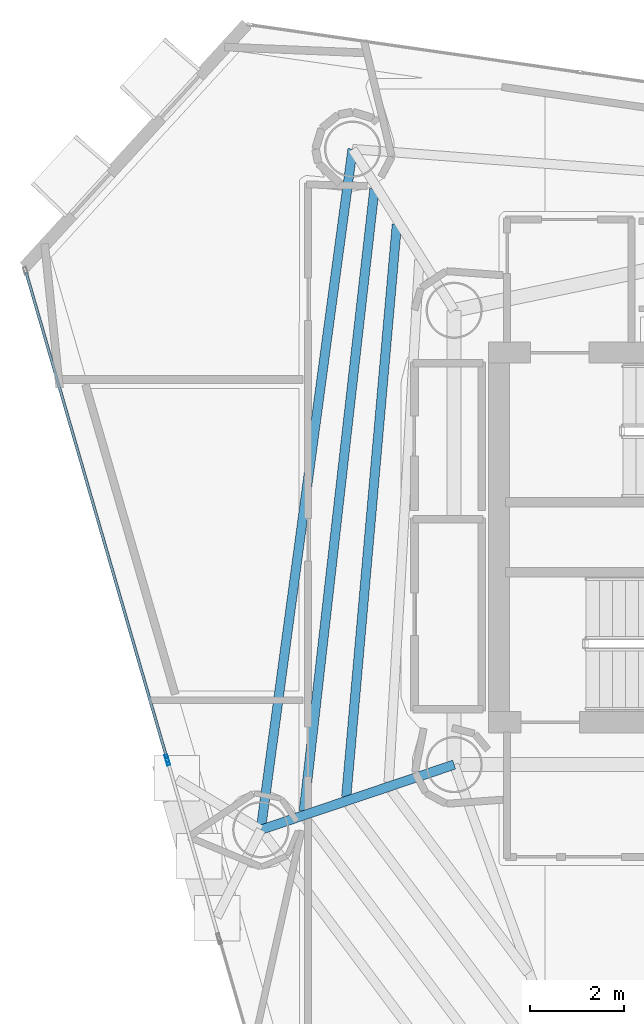
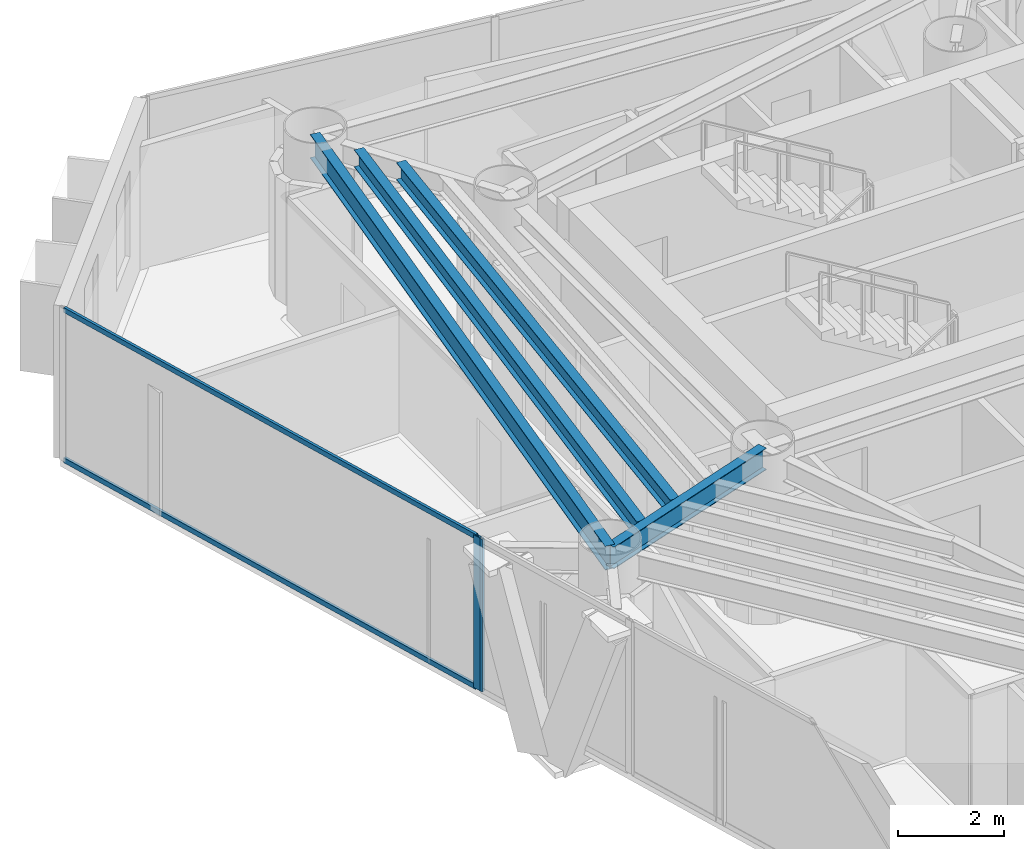
# One storey, part 8 of 23: 4 beams, 4 members, 2 elements without a shape of their own.
"""IFC4 building model written with IfcOpenShell, lengths in metres."""

import ifcopenshell
import ifcopenshell.guid

model = None  # the IFC model being written
_history = None  # IfcOwnerHistory: only IFC2X3 demands one
_inside = {}  # id of a spatial element -> (the spatial element, [elements in it])
_under = {}  # id of a project, library or spatial element -> (it, [spatial elements below it])
_declared = {}  # id of a project -> (the project, [libraries it declares])
_typed = {}  # id of a type object -> (the type object, [elements of that type])
_made_of = {}  # id of a material, layer set ... -> (it, [elements and type objects made of it])


def new_model(schema):
    """Start an empty IFC model of exactly this schema.

    Asked for "IFC4X3", IfcOpenShell would pick the latest addendum, in which some entities
    have other attributes; the version numbers below select the first issue.
    IFC2X3 requires an IfcOwnerHistory on every rooted entity: one is made here for all.
    """
    global model, _history
    if schema == "IFC4X3":
        model = ifcopenshell.file(schema_version=(4, 3, 0, 0))
    else:
        model = ifcopenshell.file(schema=schema)
    _inside.clear()
    _under.clear()
    _declared.clear()
    _typed.clear()
    _made_of.clear()
    _history = None
    if model.schema == "IFC2X3":
        org = make("IfcOrganization", Name="unknown")
        user = make(
            "IfcPersonAndOrganization",
            ThePerson=make("IfcPerson", FamilyName="unknown"),
            TheOrganization=org,
        )
        app = make(
            "IfcApplication",
            ApplicationDeveloper=org,
            Version="unknown",
            ApplicationFullName="unknown",
            ApplicationIdentifier="unknown",
        )
        _history = make(
            "IfcOwnerHistory",
            OwningUser=user,
            OwningApplication=app,
            ChangeAction="ADDED",
            CreationDate=0,
        )
    return model


def make(cls, **values):
    """One entity of the class cls with the attributes given. An attribute that is None is left unset."""
    return model.create_entity(
        cls, **{name: value for name, value in values.items() if value is not None}
    )


def rooted(cls, **values):
    """An entity with a GlobalId (a new one), such as an element, a storey or a relation."""
    return make(cls, GlobalId=ifcopenshell.guid.new(), OwnerHistory=_history, **values)


def si_unit(unit_type, name, prefix=None):
    """IfcSIUnit, for example si_unit("LENGTHUNIT", "METRE", prefix="MILLI")."""
    return make("IfcSIUnit", UnitType=unit_type, Prefix=prefix, Name=name)


def assignment(units):
    """IfcUnitAssignment: the units of a project."""
    return None if units is None else make("IfcUnitAssignment", Units=units)


def point(xyz):
    """IfcCartesianPoint."""
    return None if xyz is None else make("IfcCartesianPoint", Coordinates=xyz)


def direction(xyz):
    """IfcDirection."""
    return None if xyz is None else make("IfcDirection", DirectionRatios=xyz)


def frame(location, z_axis=None, x_axis=None):
    """IfcAxis2Placement3D, a coordinate frame: its origin and axes. An axis left out is left unset."""
    return make(
        "IfcAxis2Placement3D",
        Location=point(location),
        Axis=direction(z_axis),
        RefDirection=direction(x_axis),
    )


def frame_2d(location, x_axis=None):
    """IfcAxis2Placement2D, a coordinate frame in the plane: its origin and x axis."""
    return make(
        "IfcAxis2Placement2D", Location=point(location), RefDirection=direction(x_axis)
    )


def origin():
    """The frame at (0, 0, 0) with its axes left unset."""
    return frame((0.0, 0.0, 0.0))


def origin_2d():
    """The frame at (0, 0) in the plane with its x axis left unset."""
    return frame_2d((0.0, 0.0))


def place(relative_to, where):
    """IfcLocalPlacement: puts the frame where relative to a parent placement (None: the world)."""
    return make(
        "IfcLocalPlacement", PlacementRelTo=relative_to, RelativePlacement=where
    )


def context(
    kind, dimensions, precision=None, world=None, true_north=None, identifier=None
):
    """IfcGeometricRepresentationContext, for example the 3D "Model" context."""
    return make(
        "IfcGeometricRepresentationContext",
        ContextIdentifier=identifier,
        ContextType=kind,
        CoordinateSpaceDimension=dimensions,
        Precision=precision,
        WorldCoordinateSystem=world,
        TrueNorth=true_north,
    )


def subcontext(parent, identifier, kind, view, scale=None):
    """IfcGeometricRepresentationSubContext, for example "Body" below "Model"."""
    return make(
        "IfcGeometricRepresentationSubContext",
        ContextIdentifier=identifier,
        ContextType=kind,
        ParentContext=parent,
        TargetScale=scale,
        TargetView=view,
    )


def project(units=None, contexts=None):
    """IfcProject with its units and contexts."""
    return rooted(
        "IfcProject",
        Name="project",
        RepresentationContexts=contexts,
        UnitsInContext=assignment(units),
    )


def spatial(cls, under=None, at=None, **own):
    """A site, building, storey or space (cls), placed at a placement, below another one or the project."""
    s = rooted(cls, ObjectPlacement=at, **own)
    if under is not None:
        _under.setdefault(under.id(), (under, []))[1].append(s)
    return s


def profile(cls, at=None, kind="AREA", **sizes):
    """A parametric profile (cls). Its sizes go by their IFC names, for example OverallWidth=200.0."""
    return make(cls, ProfileType=kind, Position=at, **sizes)


def hollow_rectangle(**sizes):
    """IfcRectangleHollowProfileDef."""
    return profile("IfcRectangleHollowProfileDef", **sizes)


def i_section(**sizes):
    """IfcIShapeProfileDef."""
    return profile("IfcIShapeProfileDef", **sizes)


def extrude(swept, where, along, depth):
    """IfcExtrudedAreaSolid: the profile swept, set in the frame where, extruded along a direction by depth."""
    return make(
        "IfcExtrudedAreaSolid",
        SweptArea=swept,
        Position=where,
        ExtrudedDirection=direction(along),
        Depth=depth,
    )


def shape(context_of_items, identifier, shape_type, items):
    """IfcShapeRepresentation: the items that make up one representation, for example the "Body"."""
    return make(
        "IfcShapeRepresentation",
        ContextOfItems=context_of_items,
        RepresentationIdentifier=identifier,
        RepresentationType=shape_type,
        Items=items,
    )


def material(Name=None, Category=None):
    """IfcMaterial."""
    return make("IfcMaterial", Name=Name, Category=Category)


def layer(
    of_material, thickness, ventilated=None, Name=None, Category=None, Priority=None
):
    """IfcMaterialLayer: one layer of a wall or slab, of a material (None: an air gap)."""
    return make(
        "IfcMaterialLayer",
        Material=of_material,
        LayerThickness=thickness,
        IsVentilated=ventilated,
        Name=Name,
        Category=Category,
        Priority=Priority,
    )


def layer_set(layers, Name=None):
    """IfcMaterialLayerSet."""
    return make("IfcMaterialLayerSet", MaterialLayers=layers, LayerSetName=Name)


def material_profile(
    of_material, cross_section, Name=None, Category=None, Priority=None
):
    """IfcMaterialProfile: a cross section and its material."""
    return make(
        "IfcMaterialProfile",
        Name=Name,
        Material=of_material,
        Profile=cross_section,
        Priority=Priority,
        Category=Category,
    )


def profile_set(profiles, Name=None, composite=None):
    """IfcMaterialProfileSet."""
    return make(
        "IfcMaterialProfileSet",
        Name=Name,
        MaterialProfiles=profiles,
        CompositeProfile=composite,
    )


def made_of(thing, what):
    """Note that an element or type object is made of a material, layer set ...; save() writes the relation."""
    if what is not None:
        _made_of.setdefault(what.id(), (what, []))[1].append(thing)
    return thing


def type_object(cls, material=None, **own):
    """A type object (cls), such as IfcWallType, which elements share."""
    return made_of(rooted(cls, **own), material)


def element(
    cls,
    number,
    at=None,
    inside=None,
    cuts=None,
    type_object=None,
    material=None,
    context=None,
    identifier="Body",
    shape_type=None,
    held_by="IfcProductDefinitionShape",
    body=None,
    shapes=None,
    **own,
):
    """One element of the class cls, such as IfcWall. Its Tag is "e" and its number.

    at: its placement. inside: the storey or other place that contains it. cuts: it is an
    opening in that element (IfcRelVoidsElement). A single representation is given by context,
    identifier, shape_type and body (its items); several are given by shapes. held_by: the class
    of the entity that holds the representations. save() writes the other relations.
    """
    e = rooted(cls, Tag="e%d" % number, ObjectPlacement=at, **own)
    if body is not None:
        shapes = [shape(context, identifier, shape_type, body)]
    if shapes is not None:
        e.Representation = make(held_by, Representations=shapes)
    if inside is not None:
        _inside.setdefault(inside.id(), (inside, []))[1].append(e)
    if cuts is not None:
        rooted(
            "IfcRelVoidsElement", RelatingBuildingElement=cuts, RelatedOpeningElement=e
        )
    if type_object is not None:
        _typed.setdefault(type_object.id(), (type_object, []))[1].append(e)
    return made_of(e, material)


def aggregate(whole, parts):
    """IfcRelAggregates: a whole, such as a stair, and the parts it consists of."""
    return rooted("IfcRelAggregates", RelatingObject=whole, RelatedObjects=parts)


def save(model, path):
    """Write the relations noted so far, then the file.

    IfcRelAggregates (storeys below a building ...), IfcRelContainedInSpatialStructure (elements
    in a storey), IfcRelDefinesByType, IfcRelAssociatesMaterial and IfcRelDeclares: one each for
    every whole, place, type object, material and project.
    """
    for whole, parts in _under.values():
        aggregate(whole, parts)
    for where, things in _inside.values():
        rooted(
            "IfcRelContainedInSpatialStructure",
            RelatedElements=things,
            RelatingStructure=where,
        )
    for kind, things in _typed.values():
        rooted("IfcRelDefinesByType", RelatedObjects=things, RelatingType=kind)
    for what, things in _made_of.values():
        rooted("IfcRelAssociatesMaterial", RelatedObjects=things, RelatingMaterial=what)
    for by, libraries in _declared.values():
        rooted("IfcRelDeclares", RelatingContext=by, RelatedDefinitions=libraries)
    model.write(path)


model = new_model("IFC4")

# Units and contexts
model_context = context("Model", 3, precision=1e-05, world=origin(), true_north=direction((0.0, 1.0)))
body_context = subcontext(model_context, "Body", "Model", "MODEL_VIEW")
ifc_project = project(units=[si_unit("LENGTHUNIT", "METRE"), si_unit("AREAUNIT", "SQUARE_METRE"), si_unit("VOLUMEUNIT", "CUBIC_METRE"), si_unit("PLANEANGLEUNIT", "RADIAN"), si_unit("MASSUNIT", "GRAM", prefix="KILO")], contexts=[model_context])

# Site, building, storey
site_placement = place(None, origin())
site = spatial("IfcSite", under=ifc_project, at=site_placement, CompositionType="ELEMENT")
building_placement = place(site_placement, origin())
building = spatial("IfcBuilding", under=site, at=building_placement, Name="Qianvela Tower", CompositionType="ELEMENT")
storey_placement = place(building_placement, frame((0.0, 0.0, 215.10009765625)))
storey = spatial("IfcBuildingStorey", under=building, at=storey_placement, Name="L55", CompositionType="ELEMENT", Elevation=215.10009765625)

# Beams
ifc_material_1 = material(Name="Steel Q355B", Category="steel")
ifc_material_profile_1 = material_profile(ifc_material_1, i_section(OverallWidth=0.199951171875, OverallDepth=0.39990234375, WebThickness=0.008056640625, FlangeThickness=0.012939453125, at=origin_2d()), Name="HN400x200x8x13")
ifc_profile_set_1 = profile_set([ifc_material_profile_1], Name="Steel Q355B")
beam_type_1 = type_object("IfcBeamType", Name="BM-HN400-JOIST", PredefinedType="JOIST", material=ifc_profile_set_1)
beam_1_placement = place(storey_placement, frame((27.376953125, 35.3818359375, 3.31787109375), z_axis=(-0.088081491788, -0.996113272075, 0.0), x_axis=(0.996113272075, -0.088081491788, 0.0)))
element("IfcBeam", 1, at=beam_1_placement, inside=storey, type_object=beam_type_1, Name="L55 Secondary Composite Floor Joist 3.2", PredefinedType="JOIST", context=body_context, shape_type="SweptSolid", body=[
    extrude(i_section(OverallWidth=0.199951171875, OverallDepth=0.39990234375, WebThickness=0.008056640625, FlangeThickness=0.012939453125, at=origin_2d()), origin(), (0.0, 0.0, 1.0), 12.26220703125),
])
beam_2_placement = place(storey_placement, frame((26.8974609375, 36.139404296875, 3.31787109375), z_axis=(-0.112721124494, -0.993626664343, 0.0), x_axis=(0.993626664343, -0.112721124494, 0.0)))
element("IfcBeam", 2, at=beam_2_placement, inside=storey, type_object=beam_type_1, Name="L55 Secondary Composite Floor Joist 3.3", PredefinedType="JOIST", context=body_context, shape_type="SweptSolid", body=[
    extrude(i_section(OverallWidth=0.199951171875, OverallDepth=0.39990234375, WebThickness=0.008056640625, FlangeThickness=0.012939453125, at=origin_2d()), origin(), (0.0, 0.0, 1.0), 13.363525390625),
])
ifc_material_2 = material(Name="Steel Q355B", Category="steel")
ifc_material_profile_2 = material_profile(ifc_material_2, i_section(OverallWidth=0.199951171875, OverallDepth=0.5, WebThickness=0.010009765625, FlangeThickness=0.01611328125, at=origin_2d()), Name="HN500x200x10x16")
ifc_profile_set_2 = profile_set([ifc_material_profile_2], Name="Steel Q355B")
beam_type_2 = type_object("IfcBeamType", Name="BM-HN500-GIRD", PredefinedType="BEAM", material=ifc_profile_set_2)
beam_3_placement = place(storey_placement, frame((28.60009765625, 23.85009765625, 3.267822265625), z_axis=(-0.947709214586, -0.319135150976, 0.0), x_axis=(0.319135150976, -0.947709214586, 0.0)))
element("IfcBeam", 3, at=beam_3_placement, inside=storey, type_object=beam_type_2, Name="L55 Radial Primary Floor Girder 4", PredefinedType="BEAM", context=body_context, shape_type="SweptSolid", body=[
    extrude(i_section(OverallWidth=0.199951171875, OverallDepth=0.5, WebThickness=0.010009765625, FlangeThickness=0.01611328125, at=origin_2d()), origin(), (0.0, 0.0, 1.0), 4.35595703125),
])
ifc_material_3 = material(Name="Steel Q355B", Category="steel")
ifc_material_profile_3 = material_profile(ifc_material_3, i_section(OverallWidth=0.199951171875, OverallDepth=0.550048828125, WebThickness=0.010009765625, FlangeThickness=0.01611328125, at=origin_2d()), Name="HN550x200x10x16")
ifc_profile_set_3 = profile_set([ifc_material_profile_3], Name="Steel Q355B")
beam_type_3 = type_object("IfcBeamType", Name="BM-HN550-GIRD", PredefinedType="BEAM", material=ifc_profile_set_3)
beam_4_placement = place(storey_placement, frame((26.430908203125, 36.991943359375, 3.242919921875), z_axis=(-0.133596613255, -0.991035793968, 0.0), x_axis=(0.991035793968, -0.133596613255, 0.0)))
element("IfcBeam", 4, at=beam_4_placement, inside=storey, type_object=beam_type_3, Name="L55 Perimeter Ring Spandrel Girder 3", PredefinedType="BEAM", context=body_context, shape_type="SweptSolid", body=[
    extrude(i_section(OverallWidth=0.199951171875, OverallDepth=0.550048828125, WebThickness=0.010009765625, FlangeThickness=0.01611328125, at=origin_2d()), origin(), (0.0, 0.0, 1.0), 14.663330078125),
])

# Curtain wall, member
ifc_material_4 = material(Name="Anodised Architectural Aluminium and Insulated Spandrel Panel", Category="aluminium")
ifc_layer_1 = layer(ifc_material_4, 0.179931640625)
ifc_layer_set_1 = layer_set([ifc_layer_1], Name="Anodised Architectural Aluminium and Insulated Spandrel Panel")
curtain_wall_type_1 = type_object("IfcCurtainWallType", Name="CW-BRACEBAY", PredefinedType="USERDEFINED", material=ifc_layer_set_1)
curtain_wall_1_placement = place(storey_placement, origin())
curtain_wall_1 = element("IfcCurtainWall", 5, at=curtain_wall_1_placement, inside=storey, type_object=curtain_wall_type_1, Name="L55 CW-BRACEBAY Curtain Wall 04B", ObjectType="CURTAIN_WALL_SYSTEM", PredefinedType="USERDEFINED")
ifc_material_5 = material(Name="Anodised Architectural Aluminium 6063-T6", Category="aluminium")
ifc_material_profile_4 = material_profile(ifc_material_5, hollow_rectangle(XDim=0.06494140625, YDim=0.159912109375, WallThickness=0.0048828125, at=origin_2d()), Name="ALU-MULL-65x160")
ifc_profile_set_4 = profile_set([ifc_material_profile_4], Name="Anodised Architectural Aluminium 6063-T6")
member_type_1 = type_object("IfcMemberType", Name="CW-BRACEBAY-MULL", PredefinedType="MULLION", material=ifc_profile_set_4)
member_1_placement = place(storey_placement, frame((22.486083984375, 23.9169921875, 0.0), z_axis=(0.0, 0.0, 1.0), x_axis=(0.960484909971, 0.278332063761, 0.0)))
member_1 = element("IfcMember", 6, at=member_1_placement, type_object=member_type_1, Name="CW-9 mullion 1", PredefinedType="MULLION", context=body_context, shape_type="SweptSolid", body=[
    extrude(hollow_rectangle(XDim=0.06494140625, YDim=0.159912109375, WallThickness=0.0048828125, at=origin_2d()), origin(), (0.0, 0.0, 1.0), 3.52001953125),
])
aggregate(curtain_wall_1, [member_1])

# Curtain wall, members
ifc_material_6 = material(Name="Anodised Architectural Aluminium and Low-E Glass", Category="aluminium")
ifc_layer_2 = layer(ifc_material_6, 0.159912109375)
ifc_layer_set_2 = layer_set([ifc_layer_2], Name="Anodised Architectural Aluminium and Low-E Glass")
curtain_wall_type_2 = type_object("IfcCurtainWallType", Name="CW-COLIV-Z56", PredefinedType="USERDEFINED", material=ifc_layer_set_2)
curtain_wall_2_placement = place(storey_placement, origin())
curtain_wall_2 = element("IfcCurtainWall", 7, at=curtain_wall_2_placement, inside=storey, type_object=curtain_wall_type_2, Name="L55 CW-COLIV-Z56 Curtain Wall 04A", ObjectType="CURTAIN_WALL_SYSTEM", PredefinedType="USERDEFINED")
ifc_material_7 = material(Name="Anodised Architectural Aluminium 6063-T6", Category="aluminium")
ifc_material_profile_5 = material_profile(ifc_material_7, hollow_rectangle(XDim=0.06494140625, YDim=0.159912109375, WallThickness=0.0048828125, at=origin_2d()), Name="ALU-MULL-65x160")
ifc_profile_set_5 = profile_set([ifc_material_profile_5], Name="Anodised Architectural Aluminium 6063-T6")
member_type_2 = type_object("IfcMemberType", Name="CW-COLIV-Z56-MULL", PredefinedType="MULLION", material=ifc_profile_set_5)
member_2_placement = place(storey_placement, frame((22.468017578125, 23.979248046875, 0.0), z_axis=(0.0, 0.0, 1.0), x_axis=(0.960487497676, 0.2783231338, 0.0)))
member_2 = element("IfcMember", 8, at=member_2_placement, type_object=member_type_2, Name="CW-5 mullion 2", PredefinedType="MULLION", context=body_context, shape_type="SweptSolid", body=[
    extrude(hollow_rectangle(XDim=0.06494140625, YDim=0.159912109375, WallThickness=0.0048828125, at=origin_2d()), origin(), (0.0, 0.0, 1.0), 3.52001953125),
])
ifc_material_8 = material(Name="Anodised Architectural Aluminium 6063-T6", Category="aluminium")
ifc_material_profile_6 = material_profile(ifc_material_8, hollow_rectangle(XDim=0.06005859375, YDim=0.114990234375, WallThickness=0.00390625, at=origin_2d()), Name="ALU-TRAN-60x115")
ifc_profile_set_6 = profile_set([ifc_material_profile_6], Name="Anodised Architectural Aluminium 6063-T6")
member_type_3 = type_object("IfcMemberType", Name="CW-COLIV-Z56-TRAN", PredefinedType="USERDEFINED", material=ifc_profile_set_6)
member_3_placement = place(storey_placement, frame((19.458740234375, 34.364501953125, 0.02978515625), z_axis=(0.278317624987, -0.960489093963, 0.0), x_axis=(0.960489093963, 0.278317624987, 0.0)))
member_3 = element("IfcMember", 9, at=member_3_placement, type_object=member_type_3, Name="CW-5 transom 1.1", ObjectType="TRANSOM", PredefinedType="USERDEFINED", context=body_context, shape_type="SweptSolid", body=[
    extrude(hollow_rectangle(XDim=0.06005859375, YDim=0.114990234375, WallThickness=0.00390625, at=origin_2d()), origin(), (0.0, 0.0, 1.0), 10.780029296875),
])
member_4_placement = place(storey_placement, frame((19.458740234375, 34.364501953125, 3.489990234375), z_axis=(0.278317624987, -0.960489093963, 0.0), x_axis=(0.960489093963, 0.278317624987, 0.0)))
member_4 = element("IfcMember", 10, at=member_4_placement, type_object=member_type_3, Name="CW-5 transom 1.2", ObjectType="TRANSOM", PredefinedType="USERDEFINED", context=body_context, shape_type="SweptSolid", body=[
    extrude(hollow_rectangle(XDim=0.06005859375, YDim=0.114990234375, WallThickness=0.00390625, at=origin_2d()), origin(), (0.0, 0.0, 1.0), 10.780029296875),
])
aggregate(curtain_wall_2, [member_2, member_3, member_4])

save(model, "model.ifc")
